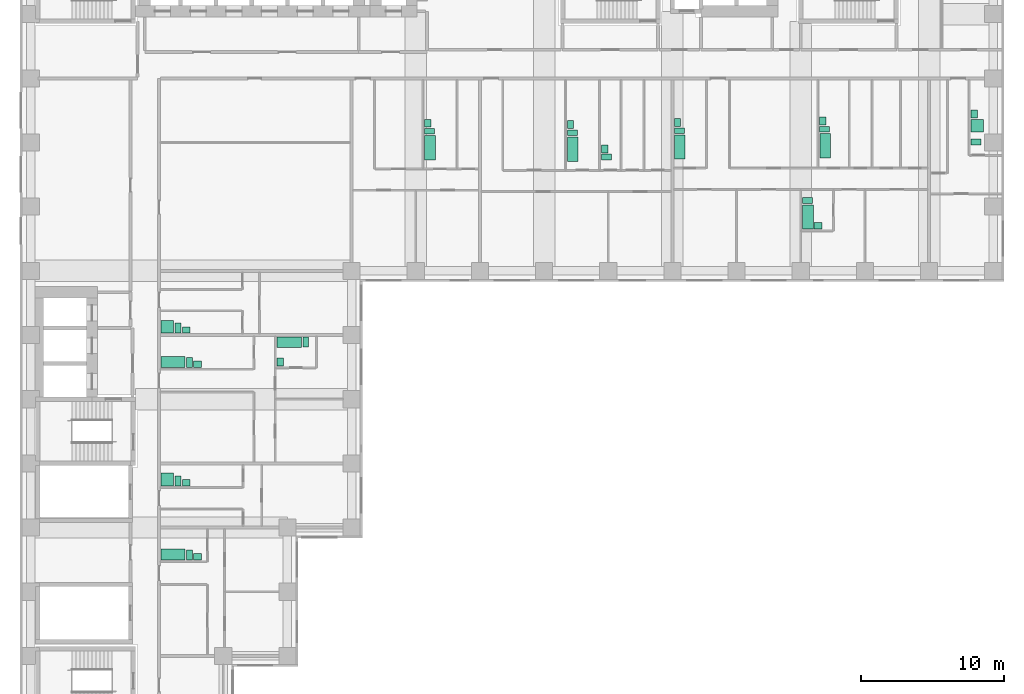
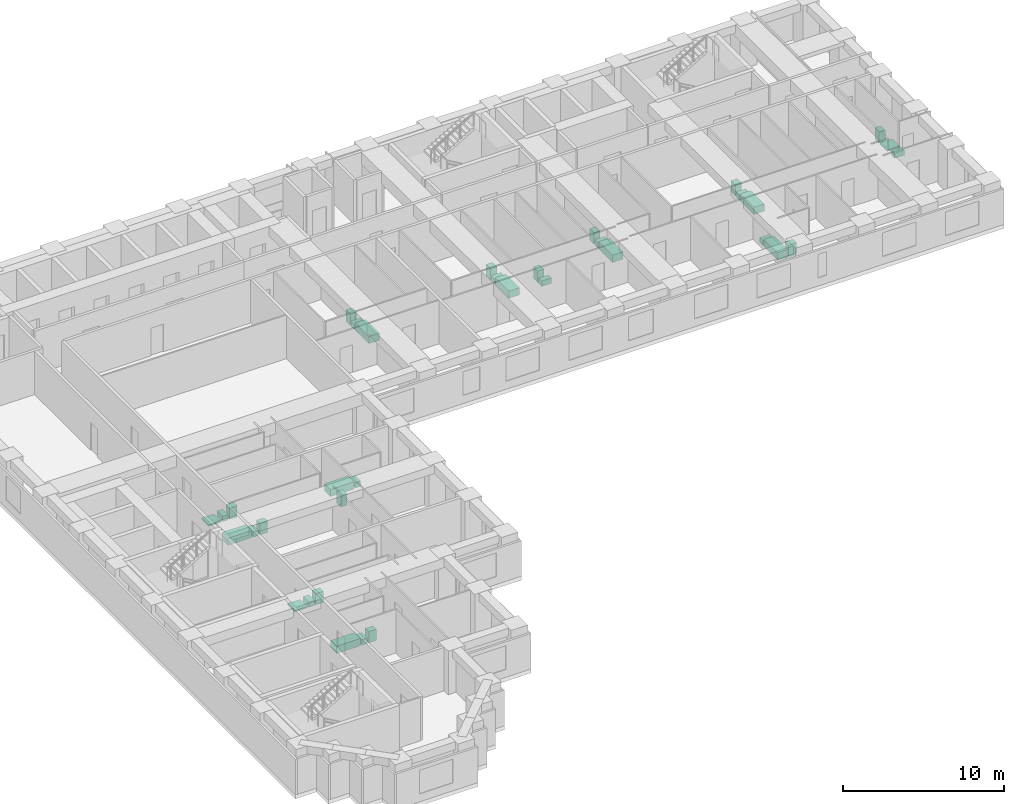
# One storey, part 11 of 11: 35 sanitary terminals.
"""IFC4 building model written with IfcOpenShell, lengths in metres."""

from ifc_helpers import new_model, si_unit, direction, frame, origin, origin_2d, place, context, subcontext, project, spatial, rectangle, extrude, material, type_object, element, save


model = new_model("IFC4")

# Units and contexts
model_context = context("Model", 3, precision=1e-05, world=origin(), true_north=direction((0.0, 1.0)))
body_context = subcontext(model_context, "Body", "Model", "MODEL_VIEW")
ifc_project = project(units=[si_unit("LENGTHUNIT", "METRE"), si_unit("AREAUNIT", "SQUARE_METRE"), si_unit("VOLUMEUNIT", "CUBIC_METRE"), si_unit("PLANEANGLEUNIT", "RADIAN"), si_unit("MASSUNIT", "GRAM", prefix="KILO")], contexts=[model_context])

# Site, building, storey
site_placement = place(None, origin())
site = spatial("IfcSite", under=ifc_project, at=site_placement, CompositionType="ELEMENT")
building_placement = place(site_placement, origin())
building = spatial("IfcBuilding", under=site, at=building_placement, Name="Firuza Court", CompositionType="ELEMENT")
storey_placement = place(building_placement, frame((0.0, 0.0, 83.0)))
storey = spatial("IfcBuildingStorey", under=building, at=storey_placement, Name="L20", CompositionType="ELEMENT", Elevation=83.0)

# Sanitary terminals
ifc_material_1 = material(Name="Vitreous china", Category="ceramic")
sanitary_terminal_type_1 = type_object("IfcSanitaryTerminalType", Name="Fixture Bath", PredefinedType="BATH", material=ifc_material_1)
for number, where, z_axis, x_axis, name in (
    (1, (28.0048828125, 44.6298828125, 0.0), (0.0, 0.0, 1.0), (1.0, 0.0, 0.0), "Bath"),
    (2, (38.0048828125, 44.530029296875, 0.0), (0.0, 0.0, 1.0), (1.0, 0.0, 0.0), "Bath"),
    (3, (45.5048828125, 44.679931640625, 0.0), (0.0, 0.0, 1.0), (1.0, 0.0, 0.0), "Bath"),
    (4, (55.705078125, 44.780029296875, 0.0), (0.0, 0.0, 1.0), (1.0, 0.0, 0.0), "Bath"),
    (5, (54.5048828125, 39.780029296875, 0.0), (0.0, 0.0, 1.0), (1.0, 0.0, 0.0), "Bath"),
):
    element("IfcSanitaryTerminal", number, at=place(storey_placement, frame(where, z_axis=z_axis, x_axis=x_axis)), inside=storey, type_object=sanitary_terminal_type_1, Name=name, PredefinedType="BATH", context=body_context, shape_type="SweptSolid", body=[
        extrude(rectangle(XDim=0.75, YDim=1.699951171875, at=origin_2d()), origin(), (0.0, 0.0, 1.0), 0.550048828125),
    ])
for number, where, z_axis, x_axis, name in (
    (6, (9.97998046875, 29.60498046875, 0.0), (0.0, 0.0, 1.0), (1.0, 0.0, 0.0), "Bath"),
    (7, (18.1298828125, 30.9951171875, 0.0), (0.0, 0.0, 1.0), (1.0, 0.0, 0.0), "Bath"),
    (8, (9.97998046875, 16.10498046875, 0.0), (0.0, 0.0, 1.0), (1.0, 0.0, 0.0), "Bath"),
):
    element("IfcSanitaryTerminal", number, at=place(storey_placement, frame(where, z_axis=z_axis, x_axis=x_axis)), inside=storey, type_object=sanitary_terminal_type_1, Name=name, PredefinedType="BATH", context=body_context, shape_type="SweptSolid", body=[
        extrude(rectangle(XDim=1.699951171875, YDim=0.75, at=origin_2d()), origin(), (0.0, 0.0, 1.0), 0.550048828125),
    ])
ifc_material_2 = material(Name="Vitreous china", Category="ceramic")
sanitary_terminal_type_2 = type_object("IfcSanitaryTerminalType", Name="Fixture Shower tray", PredefinedType="SHOWER", material=ifc_material_2)
for number, where, z_axis, x_axis, name in (
    (9, (66.3798828125, 46.179931640625, 0.0), (0.0, 0.0, 1.0), (1.0, 0.0, 0.0), "Shower tray"),
    (10, (9.580078125, 32.080078125, 0.0), (0.0, 0.0, 1.0), (1.0, 0.0, 0.0), "Shower tray"),
    (11, (9.580078125, 21.3798828125, 0.0), (0.0, 0.0, 1.0), (1.0, 0.0, 0.0), "Shower tray"),
):
    element("IfcSanitaryTerminal", number, at=place(storey_placement, frame(where, z_axis=z_axis, x_axis=x_axis)), inside=storey, type_object=sanitary_terminal_type_2, Name=name, PredefinedType="SHOWER", context=body_context, shape_type="SweptSolid", body=[
        extrude(rectangle(XDim=0.89990234375, YDim=0.89990234375, at=origin_2d()), origin(), (0.0, 0.0, 1.0), 0.10009765625),
    ])
ifc_material_3 = material(Name="Vitreous china", Category="ceramic")
sanitary_terminal_type_3 = type_object("IfcSanitaryTerminalType", Name="Fixture WC pan", PredefinedType="TOILETPAN", material=ifc_material_3)
for number, where, z_axis, x_axis, name in (
    (12, (27.97998046875, 45.780029296875, 0.0), (0.0, 0.0, 1.0), (1.0, 0.0, 0.0), "WC pan"),
    (13, (37.97998046875, 45.679931640625, 0.0), (0.0, 0.0, 1.0), (1.0, 0.0, 0.0), "WC pan"),
    (14, (40.3798828125, 43.97998046875, 0.0), (0.0, 0.0, 1.0), (1.0, 0.0, 0.0), "WC pan"),
    (15, (45.47998046875, 45.830078125, 0.0), (0.0, 0.0, 1.0), (1.0, 0.0, 0.0), "WC pan"),
    (16, (55.679931640625, 45.929931640625, 0.0), (0.0, 0.0, 1.0), (1.0, 0.0, 0.0), "WC pan"),
    (17, (54.47998046875, 40.929931640625, 0.0), (0.0, 0.0, 1.0), (1.0, 0.0, 0.0), "WC pan"),
    (18, (66.280029296875, 45.030029296875, 0.0), (0.0, 0.0, 1.0), (1.0, 0.0, 0.0), "WC pan"),
):
    element("IfcSanitaryTerminal", number, at=place(storey_placement, frame(where, z_axis=z_axis, x_axis=x_axis)), inside=storey, type_object=sanitary_terminal_type_3, Name=name, PredefinedType="TOILETPAN", context=body_context, shape_type="SweptSolid", body=[
        extrude(rectangle(XDim=0.699951171875, YDim=0.39990234375, at=origin_2d()), origin(), (0.0, 0.0, 1.0), 0.39990234375),
    ])
for number, where, z_axis, x_axis, name in (
    (19, (10.330078125, 31.97998046875, 0.0), (0.0, 0.0, 1.0), (1.0, 0.0, 0.0), "WC pan"),
    (20, (11.1298828125, 29.580078125, 0.0), (0.0, 0.0, 1.0), (1.0, 0.0, 0.0), "WC pan"),
    (21, (19.280029296875, 31.02001953125, 0.0), (0.0, 0.0, 1.0), (1.0, 0.0, 0.0), "WC pan"),
    (22, (10.330078125, 21.280029296875, 0.0), (0.0, 0.0, 1.0), (1.0, 0.0, 0.0), "WC pan"),
    (23, (11.1298828125, 16.080078125, 0.0), (0.0, 0.0, 1.0), (1.0, 0.0, 0.0), "WC pan"),
):
    element("IfcSanitaryTerminal", number, at=place(storey_placement, frame(where, z_axis=z_axis, x_axis=x_axis)), inside=storey, type_object=sanitary_terminal_type_3, Name=name, PredefinedType="TOILETPAN", context=body_context, shape_type="SweptSolid", body=[
        extrude(rectangle(XDim=0.39990234375, YDim=0.699951171875, at=origin_2d()), origin(), (0.0, 0.0, 1.0), 0.39990234375),
    ])
ifc_material_4 = material(Name="Vitreous china", Category="ceramic")
sanitary_terminal_type_4 = type_object("IfcSanitaryTerminalType", Name="Fixture Washbasin", PredefinedType="WASHHANDBASIN", material=ifc_material_4)
for number, where, z_axis, x_axis, name in (
    (24, (27.85498046875, 46.35498046875, 0.0), (0.0, 0.0, 1.0), (1.0, 0.0, 0.0), "Washbasin"),
    (25, (37.85498046875, 46.2548828125, 0.0), (0.0, 0.0, 1.0), (1.0, 0.0, 0.0), "Washbasin"),
    (26, (40.2548828125, 44.554931640625, 0.0), (0.0, 0.0, 1.0), (1.0, 0.0, 0.0), "Washbasin"),
    (27, (45.35498046875, 46.405029296875, 0.0), (0.0, 0.0, 1.0), (1.0, 0.0, 0.0), "Washbasin"),
    (28, (55.554931640625, 46.5048828125, 0.0), (0.0, 0.0, 1.0), (1.0, 0.0, 0.0), "Washbasin"),
):
    element("IfcSanitaryTerminal", number, at=place(storey_placement, frame(where, z_axis=z_axis, x_axis=x_axis)), inside=storey, type_object=sanitary_terminal_type_4, Name=name, PredefinedType="WASHHANDBASIN", context=body_context, shape_type="SweptSolid", body=[
        extrude(rectangle(XDim=0.449951171875, YDim=0.550048828125, at=origin_2d()), origin(), (0.0, 0.0, 1.0), 0.85009765625),
    ])
sanitary_terminal_1_placement = place(storey_placement, frame((55.205078125, 39.155029296875, 0.0), z_axis=(0.0, 0.0, 1.0), x_axis=(1.0, 0.0, 0.0)))
element("IfcSanitaryTerminal", 29, at=sanitary_terminal_1_placement, inside=storey, type_object=sanitary_terminal_type_4, Name="Washbasin", PredefinedType="WASHHANDBASIN", context=body_context, shape_type="SweptSolid", body=[
    extrude(rectangle(XDim=0.550048828125, YDim=0.449951171875, at=origin_2d()), origin(), (0.0, 0.0, 1.0), 0.85009765625),
])
sanitary_terminal_2_placement = place(storey_placement, frame((66.155029296875, 47.0048828125, 0.0), z_axis=(0.0, 0.0, 1.0), x_axis=(1.0, 0.0, 0.0)))
element("IfcSanitaryTerminal", 30, at=sanitary_terminal_2_placement, inside=storey, type_object=sanitary_terminal_type_4, Name="Washbasin", PredefinedType="WASHHANDBASIN", context=body_context, shape_type="SweptSolid", body=[
    extrude(rectangle(XDim=0.449951171875, YDim=0.550048828125, at=origin_2d()), origin(), (0.0, 0.0, 1.0), 0.85009765625),
])
for number, where, z_axis, x_axis, name in (
    (31, (10.905029296875, 31.85498046875, 0.0), (0.0, 0.0, 1.0), (1.0, 0.0, 0.0), "Washbasin"),
    (32, (11.705078125, 29.455078125, 0.0), (0.0, 0.0, 1.0), (1.0, 0.0, 0.0), "Washbasin"),
):
    element("IfcSanitaryTerminal", number, at=place(storey_placement, frame(where, z_axis=z_axis, x_axis=x_axis)), inside=storey, type_object=sanitary_terminal_type_4, Name=name, PredefinedType="WASHHANDBASIN", context=body_context, shape_type="SweptSolid", body=[
        extrude(rectangle(XDim=0.550048828125, YDim=0.449951171875, at=origin_2d()), origin(), (0.0, 0.0, 1.0), 0.85009765625),
    ])
sanitary_terminal_3_placement = place(storey_placement, frame((17.5048828125, 29.60498046875, 0.0), z_axis=(0.0, 0.0, 1.0), x_axis=(1.0, 0.0, 0.0)))
element("IfcSanitaryTerminal", 33, at=sanitary_terminal_3_placement, inside=storey, type_object=sanitary_terminal_type_4, Name="Washbasin", PredefinedType="WASHHANDBASIN", context=body_context, shape_type="SweptSolid", body=[
    extrude(rectangle(XDim=0.449951171875, YDim=0.550048828125, at=origin_2d()), origin(), (0.0, 0.0, 1.0), 0.85009765625),
])
for number, where, z_axis, x_axis, name in (
    (34, (10.905029296875, 21.155029296875, 0.0), (0.0, 0.0, 1.0), (1.0, 0.0, 0.0), "Washbasin"),
    (35, (11.705078125, 15.955078125, 0.0), (0.0, 0.0, 1.0), (1.0, 0.0, 0.0), "Washbasin"),
):
    element("IfcSanitaryTerminal", number, at=place(storey_placement, frame(where, z_axis=z_axis, x_axis=x_axis)), inside=storey, type_object=sanitary_terminal_type_4, Name=name, PredefinedType="WASHHANDBASIN", context=body_context, shape_type="SweptSolid", body=[
        extrude(rectangle(XDim=0.550048828125, YDim=0.449951171875, at=origin_2d()), origin(), (0.0, 0.0, 1.0), 0.85009765625),
    ])

save(model, "model.ifc")
